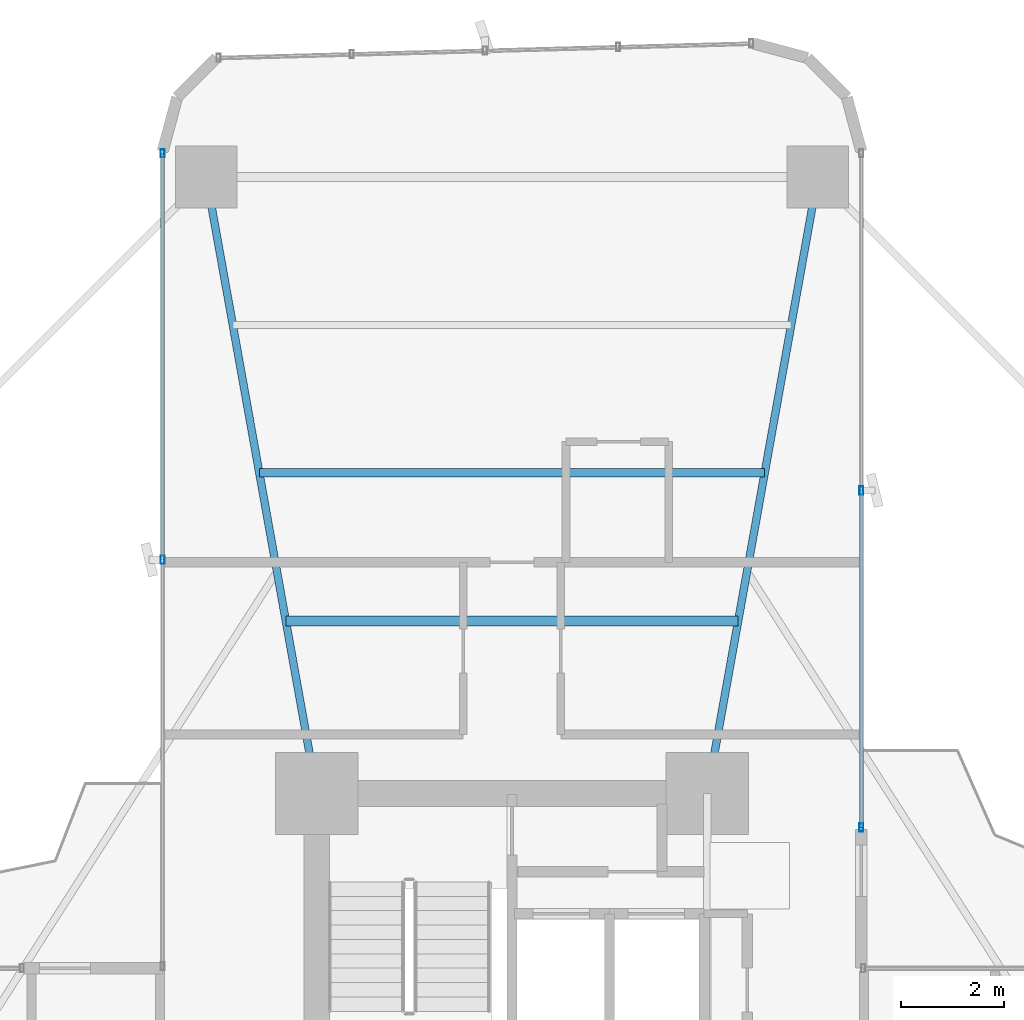
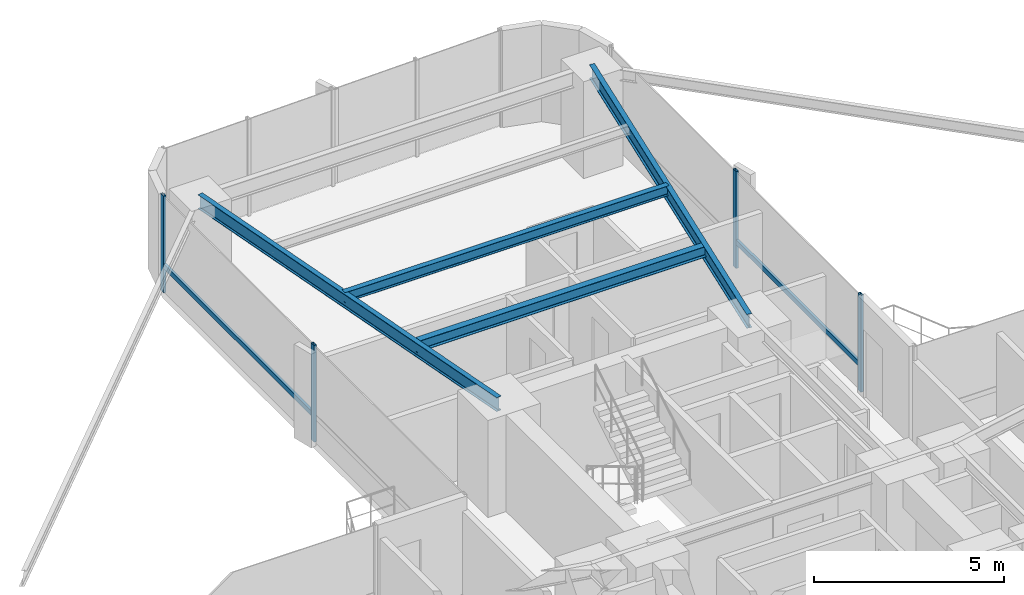
# One storey, part 18 of 25: 6 members, 4 beams, 2 elements without a shape of their own.
"""IFC4 building model written with IfcOpenShell, lengths in metres."""

from ifc_helpers import new_model, si_unit, direction, frame, origin, origin_2d, place, context, subcontext, project, spatial, hollow_rectangle, i_section, extrude, source, transform, mapped, material, material_profile, profile_set, type_object, element, aggregate, save


model = new_model("IFC4")

# Units and contexts
model_context = context("Model", 3, precision=1e-05, world=origin(), true_north=direction((0.0, 1.0)))
body_context = subcontext(model_context, "Body", "Model", "MODEL_VIEW")
ifc_project = project(units=[si_unit("LENGTHUNIT", "METRE"), si_unit("AREAUNIT", "SQUARE_METRE"), si_unit("VOLUMEUNIT", "CUBIC_METRE"), si_unit("PLANEANGLEUNIT", "RADIAN"), si_unit("MASSUNIT", "GRAM", prefix="KILO")], contexts=[model_context])

# Site, building, storey
site_placement = place(None, origin())
site = spatial("IfcSite", under=ifc_project, at=site_placement, CompositionType="ELEMENT")
building_placement = place(site_placement, origin())
building = spatial("IfcBuilding", under=site, at=building_placement, Name="Sahyath Konkavel Grand Hotel", CompositionType="ELEMENT")
storey_placement = place(building_placement, frame((0.0, 0.0, 39.85009765625)))
storey = spatial("IfcBuildingStorey", under=building, at=storey_placement, Name="L10", CompositionType="ELEMENT", Elevation=39.85009765625)

# Beams
ifc_material_1 = material(Name="Steel E350", Category="steel")
ifc_material_profile_1 = material_profile(ifc_material_1, i_section(OverallWidth=0.14990234375, OverallDepth=0.449951171875, WebThickness=0.009521484375, FlangeThickness=0.017333984375, FilletRadius=0.014892578125, at=origin_2d()), Name="ISMB 450")
ifc_profile_set_1 = profile_set([ifc_material_profile_1], Name="Steel E350")
beam_type_1 = type_object("IfcBeamType", Name="BM-ISMB450", PredefinedType="BEAM", material=ifc_profile_set_1)
shared_shape_1 = source(origin(), body_context, "Body", "SweptSolid", [
    extrude(i_section(OverallWidth=0.14990234375, OverallDepth=0.449951171875, WebThickness=0.009521484375, FlangeThickness=0.017333984375, FilletRadius=0.014892578125, at=origin_2d()), origin(), (0.0, 0.0, 1.0), 12.191162109375),
])
for number, where, z_axis, x_axis, name in (
    (1, (3.800048828125, 10.199951171875, 2.885009765625), (0.176350650305, 0.984327409014, 0.0), (-0.984327409014, 0.176350650305, 0.0), "L10 Cruciform Radial Girder NA"),
    (2, (-3.800048828125, 10.199951171875, 2.885009765625), (-0.176350650305, 0.984327409014, 0.0), (-0.984327409014, -0.176350650305, 0.0), "L10 Cruciform Radial Girder NB"),
):
    element("IfcBeam", number, at=place(storey_placement, frame(where, z_axis=z_axis, x_axis=x_axis)), inside=storey, type_object=beam_type_1, Name=name, PredefinedType="BEAM", context=body_context, shape_type="MappedRepresentation", body=[
        mapped(shared_shape_1, transform((0.0, 0.0, 0.0), scale=1.0)),
    ])
ifc_material_profile_2 = material_profile(ifc_material_1, i_section(OverallWidth=0.199951171875, OverallDepth=0.35009765625, WebThickness=0.008056640625, FlangeThickness=0.011474609375, FilletRadius=0.013916015625, at=origin_2d()), Name="ISWB 350")
ifc_profile_set_2 = profile_set([ifc_material_profile_2], Name="Steel E350")
beam_type_2 = type_object("IfcBeamType", Name="BM-ISWB350", PredefinedType="BEAM", material=ifc_profile_set_2)
shared_shape_2 = source(origin(), body_context, "Body", "SweptSolid", [
    extrude(i_section(OverallWidth=0.199951171875, OverallDepth=0.35009765625, WebThickness=0.008056640625, FlangeThickness=0.011474609375, FilletRadius=0.013916015625, at=origin_2d()), origin(), (0.0, 0.0, 1.0), 8.80419921875),
])
beam_1_placement = place(storey_placement, frame((4.402099609375, 13.56005859375, 2.934814453125), z_axis=(-1.0, 0.0, 0.0), x_axis=(0.0, -1.0, 0.0)))
element("IfcBeam", 3, at=beam_1_placement, inside=storey, type_object=beam_type_2, Name="L10 Secondary Floor Beam N-1", PredefinedType="BEAM", context=body_context, shape_type="MappedRepresentation", body=[
    mapped(shared_shape_2, transform((0.0, 0.0, 0.0), scale=1.0)),
])
ifc_material_profile_3 = material_profile(ifc_material_1, i_section(OverallWidth=0.1650390625, OverallDepth=0.324951171875, WebThickness=0.007080078125, FlangeThickness=0.009765625, FilletRadius=0.014892578125, at=origin_2d()), Name="ISLB 325")
ifc_profile_set_3 = profile_set([ifc_material_profile_3], Name="Steel E350")
beam_type_3 = type_object("IfcBeamType", Name="BM-ISLB325", PredefinedType="BEAM", material=ifc_profile_set_3)
shared_shape_3 = source(origin(), body_context, "Body", "SweptSolid", [
    extrude(i_section(OverallWidth=0.1650390625, OverallDepth=0.324951171875, WebThickness=0.007080078125, FlangeThickness=0.009765625, FilletRadius=0.014892578125, at=origin_2d()), origin(), (0.0, 0.0, 1.0), 9.8359375),
])
beam_2_placement = place(storey_placement, frame((4.91796875, 16.43994140625, 2.947509765625), z_axis=(-1.0, 0.0, 0.0), x_axis=(0.0, -1.0, 0.0)))
element("IfcBeam", 4, at=beam_2_placement, inside=storey, type_object=beam_type_3, Name="L10 Secondary Floor Beam N-2", PredefinedType="BEAM", context=body_context, shape_type="MappedRepresentation", body=[
    mapped(shared_shape_3, transform((0.0, 0.0, 0.0), scale=1.0)),
])

# Curtain wall, members
ifc_material_2 = material(Name="Anodised Bronze Aluminium & Low-E Glazing", Category="aluminium")
curtain_wall_type = type_object("IfcCurtainWallType", Name="CW-ZONE1", PredefinedType="NOTDEFINED", material=ifc_material_2)
curtain_wall_1_placement = place(storey_placement, origin())
curtain_wall_1 = element("IfcCurtainWall", 5, at=curtain_wall_1_placement, inside=storey, type_object=curtain_wall_type, Name="L10 Unitised Curtain Wall F8", PredefinedType="NOTDEFINED")
ifc_material_3 = material(Name="Anodised Bronze Aluminium", Category="aluminium")
ifc_material_profile_4 = material_profile(ifc_material_3, hollow_rectangle(XDim=0.080078125, YDim=0.159912109375, WallThickness=0.006103515625, at=origin_2d()), Name="RHS 160x80x6")
ifc_profile_set_4 = profile_set([ifc_material_profile_4], Name="Anodised Bronze Aluminium")
member_type_1 = type_object("IfcMemberType", Name="CW-MUL-160", PredefinedType="MULLION", material=ifc_profile_set_4)
shared_shape_4 = source(origin(), body_context, "Body", "SweptSolid", [
    extrude(hollow_rectangle(XDim=0.080078125, YDim=0.159912109375, WallThickness=0.006103515625, at=origin_2d()), origin(), (0.0, 0.0, 1.0), 3.10986328125),
])
member_1_placement = place(storey_placement, frame((6.800048828125, 9.5400390625, 0.0), z_axis=(0.0, 0.0, 1.0), x_axis=(1.0, 0.0, 0.0)))
member_1 = element("IfcMember", 6, at=member_1_placement, type_object=member_type_1, Name="L10 Curtain Wall Mullion F8-0", PredefinedType="MULLION", context=body_context, shape_type="MappedRepresentation", body=[
    mapped(shared_shape_4, transform((0.0, 0.0, 0.0), scale=1.0)),
])
member_2_placement = place(storey_placement, frame((6.800048828125, 16.10009765625, 0.0), z_axis=(0.0, 0.0, 1.0), x_axis=(1.0, 0.0, 0.0)))
member_2 = element("IfcMember", 7, at=member_2_placement, type_object=member_type_1, Name="L10 Curtain Wall Mullion F8-1", PredefinedType="MULLION", context=body_context, shape_type="MappedRepresentation", body=[
    mapped(shared_shape_4, transform((0.0, 0.0, 0.0), scale=1.0)),
])

curtain_wall_2_placement = place(storey_placement, origin())
curtain_wall_2 = element("IfcCurtainWall", 8, at=curtain_wall_2_placement, inside=storey, type_object=curtain_wall_type, Name="L10 Unitised Curtain Wall F15", PredefinedType="NOTDEFINED")
member_3_placement = place(storey_placement, frame((-6.800048828125, 22.659912109375, 0.0), z_axis=(0.0, 0.0, 1.0), x_axis=(1.0, 0.0, 0.0)))
member_3 = element("IfcMember", 9, at=member_3_placement, type_object=member_type_1, Name="L10 Curtain Wall Mullion F15-0", PredefinedType="MULLION", context=body_context, shape_type="MappedRepresentation", body=[
    mapped(shared_shape_4, transform((0.0, 0.0, 0.0), scale=1.0)),
])
member_4_placement = place(storey_placement, frame((-6.800048828125, 14.75, 0.0), z_axis=(0.0, 0.0, 1.0), x_axis=(1.0, 0.0, 0.0)))
member_4 = element("IfcMember", 10, at=member_4_placement, type_object=member_type_1, Name="L10 Curtain Wall Mullion F15-1", PredefinedType="MULLION", context=body_context, shape_type="MappedRepresentation", body=[
    mapped(shared_shape_4, transform((0.0, 0.0, 0.0), scale=1.0)),
])
ifc_material_profile_5 = material_profile(ifc_material_3, hollow_rectangle(XDim=0.080078125, YDim=0.159912109375, WallThickness=0.006103515625, at=origin_2d()), Name="RHS 160x80x6")
ifc_profile_set_5 = profile_set([ifc_material_profile_5], Name="Anodised Bronze Aluminium")
member_type_2 = type_object("IfcMemberType", Name="CW-TRN-160", PredefinedType="USERDEFINED", material=ifc_profile_set_5)
shared_shape_5 = source(origin(), body_context, "Body", "SweptSolid", [
    extrude(hollow_rectangle(XDim=0.080078125, YDim=0.159912109375, WallThickness=0.006103515625, at=origin_2d()), origin(), (0.0, 0.0, 1.0), 7.909912109375),
])
member_5_placement = place(storey_placement, frame((-6.800048828125, 22.659912109375, 0.849853515625), z_axis=(0.0, -1.0, 0.0), x_axis=(1.0, 0.0, 0.0)))
member_5 = element("IfcMember", 11, at=member_5_placement, type_object=member_type_2, Name="L10 Curtain Wall Transom F15-0-spandrel", ObjectType="TRANSOM", PredefinedType="USERDEFINED", context=body_context, shape_type="MappedRepresentation", body=[
    mapped(shared_shape_5, transform((0.0, 0.0, 0.0), scale=1.0)),
])
aggregate(curtain_wall_2, [member_3, member_4, member_5])

# Member
shared_shape_6 = source(origin(), body_context, "Body", "SweptSolid", [
    extrude(hollow_rectangle(XDim=0.080078125, YDim=0.159912109375, WallThickness=0.006103515625, at=origin_2d()), origin(), (0.0, 0.0, 1.0), 6.56005859375),
])
member_6_placement = place(storey_placement, frame((6.800048828125, 9.5400390625, 0.849853515625), z_axis=(0.0, 1.0, 0.0), x_axis=(-1.0, 0.0, 0.0)))
member_6 = element("IfcMember", 12, at=member_6_placement, type_object=member_type_2, Name="L10 Curtain Wall Transom F8-0-spandrel", ObjectType="TRANSOM", PredefinedType="USERDEFINED", context=body_context, shape_type="MappedRepresentation", body=[
    mapped(shared_shape_6, transform((0.0, 0.0, 0.0), scale=1.0)),
])

aggregate(curtain_wall_1, [member_1, member_2, member_6])

save(model, "model.ifc")
